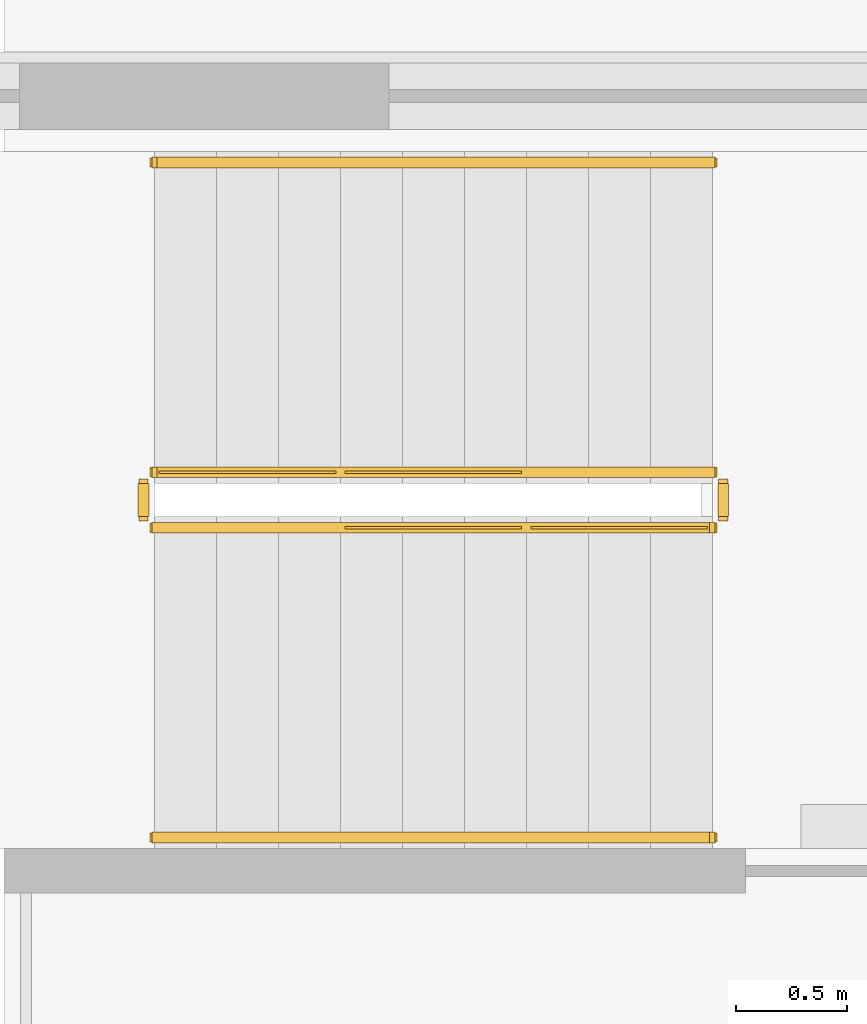
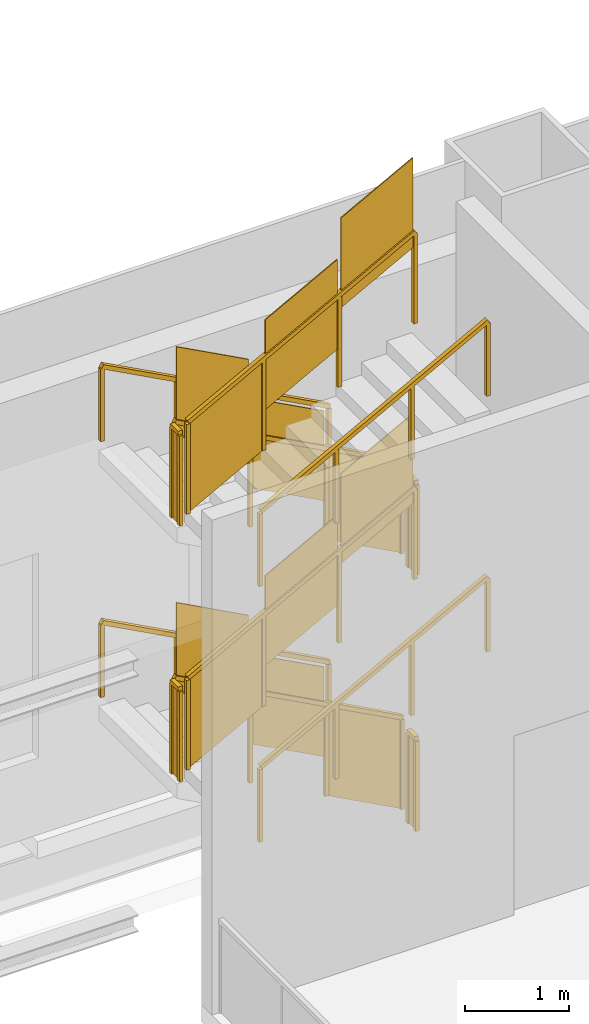
# One storey, part 27 of 31: 12 railings.
"""IFC4 building model written with IfcOpenShell, lengths in metres."""

import ifcopenshell
import ifcopenshell.guid

model = None  # the IFC model being written
_history = None  # IfcOwnerHistory: only IFC2X3 demands one
_inside = {}  # id of a spatial element -> (the spatial element, [elements in it])
_under = {}  # id of a project, library or spatial element -> (it, [spatial elements below it])
_declared = {}  # id of a project -> (the project, [libraries it declares])
_typed = {}  # id of a type object -> (the type object, [elements of that type])
_made_of = {}  # id of a material, layer set ... -> (it, [elements and type objects made of it])


def new_model(schema):
    """Start an empty IFC model of exactly this schema.

    Asked for "IFC4X3", IfcOpenShell would pick the latest addendum, in which some entities
    have other attributes; the version numbers below select the first issue.
    IFC2X3 requires an IfcOwnerHistory on every rooted entity: one is made here for all.
    """
    global model, _history
    if schema == "IFC4X3":
        model = ifcopenshell.file(schema_version=(4, 3, 0, 0))
    else:
        model = ifcopenshell.file(schema=schema)
    _inside.clear()
    _under.clear()
    _declared.clear()
    _typed.clear()
    _made_of.clear()
    _history = None
    if model.schema == "IFC2X3":
        org = make("IfcOrganization", Name="unknown")
        user = make(
            "IfcPersonAndOrganization",
            ThePerson=make("IfcPerson", FamilyName="unknown"),
            TheOrganization=org,
        )
        app = make(
            "IfcApplication",
            ApplicationDeveloper=org,
            Version="unknown",
            ApplicationFullName="unknown",
            ApplicationIdentifier="unknown",
        )
        _history = make(
            "IfcOwnerHistory",
            OwningUser=user,
            OwningApplication=app,
            ChangeAction="ADDED",
            CreationDate=0,
        )
    return model


def make(cls, **values):
    """One entity of the class cls with the attributes given. An attribute that is None is left unset."""
    return model.create_entity(
        cls, **{name: value for name, value in values.items() if value is not None}
    )


def rooted(cls, **values):
    """An entity with a GlobalId (a new one), such as an element, a storey or a relation."""
    return make(cls, GlobalId=ifcopenshell.guid.new(), OwnerHistory=_history, **values)


def si_unit(unit_type, name, prefix=None):
    """IfcSIUnit, for example si_unit("LENGTHUNIT", "METRE", prefix="MILLI")."""
    return make("IfcSIUnit", UnitType=unit_type, Prefix=prefix, Name=name)


def assignment(units):
    """IfcUnitAssignment: the units of a project."""
    return None if units is None else make("IfcUnitAssignment", Units=units)


def point(xyz):
    """IfcCartesianPoint."""
    return None if xyz is None else make("IfcCartesianPoint", Coordinates=xyz)


def direction(xyz):
    """IfcDirection."""
    return None if xyz is None else make("IfcDirection", DirectionRatios=xyz)


def frame(location, z_axis=None, x_axis=None):
    """IfcAxis2Placement3D, a coordinate frame: its origin and axes. An axis left out is left unset."""
    return make(
        "IfcAxis2Placement3D",
        Location=point(location),
        Axis=direction(z_axis),
        RefDirection=direction(x_axis),
    )


def frame_2d(location, x_axis=None):
    """IfcAxis2Placement2D, a coordinate frame in the plane: its origin and x axis."""
    return make(
        "IfcAxis2Placement2D", Location=point(location), RefDirection=direction(x_axis)
    )


def origin():
    """The frame at (0, 0, 0) with its axes left unset."""
    return frame((0.0, 0.0, 0.0))


def origin_2d():
    """The frame at (0, 0) in the plane with its x axis left unset."""
    return frame_2d((0.0, 0.0))


def place(relative_to, where):
    """IfcLocalPlacement: puts the frame where relative to a parent placement (None: the world)."""
    return make(
        "IfcLocalPlacement", PlacementRelTo=relative_to, RelativePlacement=where
    )


def context(
    kind, dimensions, precision=None, world=None, true_north=None, identifier=None
):
    """IfcGeometricRepresentationContext, for example the 3D "Model" context."""
    return make(
        "IfcGeometricRepresentationContext",
        ContextIdentifier=identifier,
        ContextType=kind,
        CoordinateSpaceDimension=dimensions,
        Precision=precision,
        WorldCoordinateSystem=world,
        TrueNorth=true_north,
    )


def subcontext(parent, identifier, kind, view, scale=None):
    """IfcGeometricRepresentationSubContext, for example "Body" below "Model"."""
    return make(
        "IfcGeometricRepresentationSubContext",
        ContextIdentifier=identifier,
        ContextType=kind,
        ParentContext=parent,
        TargetScale=scale,
        TargetView=view,
    )


def project(units=None, contexts=None):
    """IfcProject with its units and contexts."""
    return rooted(
        "IfcProject",
        Name="project",
        RepresentationContexts=contexts,
        UnitsInContext=assignment(units),
    )


def spatial(cls, under=None, at=None, **own):
    """A site, building, storey or space (cls), placed at a placement, below another one or the project."""
    s = rooted(cls, ObjectPlacement=at, **own)
    if under is not None:
        _under.setdefault(under.id(), (under, []))[1].append(s)
    return s


def polyline(points):
    """IfcPolyline through the points."""
    return make("IfcPolyline", Points=[point(p) for p in points])


def profile(cls, at=None, kind="AREA", **sizes):
    """A parametric profile (cls). Its sizes go by their IFC names, for example OverallWidth=200.0."""
    return make(cls, ProfileType=kind, Position=at, **sizes)


def rectangle(**sizes):
    """IfcRectangleProfileDef."""
    return profile("IfcRectangleProfileDef", **sizes)


def outline(outer, holes=None, kind="AREA"):
    """IfcArbitraryClosedProfileDef: a profile drawn as a closed curve; with holes, ...WithVoids."""
    if holes is None:
        return make("IfcArbitraryClosedProfileDef", ProfileType=kind, OuterCurve=outer)
    return make(
        "IfcArbitraryProfileDefWithVoids",
        ProfileType=kind,
        OuterCurve=outer,
        InnerCurves=holes,
    )


def extrude(swept, where, along, depth):
    """IfcExtrudedAreaSolid: the profile swept, set in the frame where, extruded along a direction by depth."""
    return make(
        "IfcExtrudedAreaSolid",
        SweptArea=swept,
        Position=where,
        ExtrudedDirection=direction(along),
        Depth=depth,
    )


def shape(context_of_items, identifier, shape_type, items):
    """IfcShapeRepresentation: the items that make up one representation, for example the "Body"."""
    return make(
        "IfcShapeRepresentation",
        ContextOfItems=context_of_items,
        RepresentationIdentifier=identifier,
        RepresentationType=shape_type,
        Items=items,
    )


def material(Name=None, Category=None):
    """IfcMaterial."""
    return make("IfcMaterial", Name=Name, Category=Category)


def made_of(thing, what):
    """Note that an element or type object is made of a material, layer set ...; save() writes the relation."""
    if what is not None:
        _made_of.setdefault(what.id(), (what, []))[1].append(thing)
    return thing


def type_object(cls, material=None, **own):
    """A type object (cls), such as IfcWallType, which elements share."""
    return made_of(rooted(cls, **own), material)


def element(
    cls,
    number,
    at=None,
    inside=None,
    cuts=None,
    type_object=None,
    material=None,
    context=None,
    identifier="Body",
    shape_type=None,
    held_by="IfcProductDefinitionShape",
    body=None,
    shapes=None,
    **own,
):
    """One element of the class cls, such as IfcWall. Its Tag is "e" and its number.

    at: its placement. inside: the storey or other place that contains it. cuts: it is an
    opening in that element (IfcRelVoidsElement). A single representation is given by context,
    identifier, shape_type and body (its items); several are given by shapes. held_by: the class
    of the entity that holds the representations. save() writes the other relations.
    """
    e = rooted(cls, Tag="e%d" % number, ObjectPlacement=at, **own)
    if body is not None:
        shapes = [shape(context, identifier, shape_type, body)]
    if shapes is not None:
        e.Representation = make(held_by, Representations=shapes)
    if inside is not None:
        _inside.setdefault(inside.id(), (inside, []))[1].append(e)
    if cuts is not None:
        rooted(
            "IfcRelVoidsElement", RelatingBuildingElement=cuts, RelatedOpeningElement=e
        )
    if type_object is not None:
        _typed.setdefault(type_object.id(), (type_object, []))[1].append(e)
    return made_of(e, material)


def aggregate(whole, parts):
    """IfcRelAggregates: a whole, such as a stair, and the parts it consists of."""
    return rooted("IfcRelAggregates", RelatingObject=whole, RelatedObjects=parts)


def save(model, path):
    """Write the relations noted so far, then the file.

    IfcRelAggregates (storeys below a building ...), IfcRelContainedInSpatialStructure (elements
    in a storey), IfcRelDefinesByType, IfcRelAssociatesMaterial and IfcRelDeclares: one each for
    every whole, place, type object, material and project.
    """
    for whole, parts in _under.values():
        aggregate(whole, parts)
    for where, things in _inside.values():
        rooted(
            "IfcRelContainedInSpatialStructure",
            RelatedElements=things,
            RelatingStructure=where,
        )
    for kind, things in _typed.values():
        rooted("IfcRelDefinesByType", RelatedObjects=things, RelatingType=kind)
    for what, things in _made_of.values():
        rooted("IfcRelAssociatesMaterial", RelatedObjects=things, RelatingMaterial=what)
    for by, libraries in _declared.values():
        rooted("IfcRelDeclares", RelatingContext=by, RelatedDefinitions=libraries)
    model.write(path)


model = new_model("IFC4")

# Units and contexts
model_context = context("Model", 3, precision=1e-05, world=origin(), true_north=direction((0.0, 1.0)))
body_context = subcontext(model_context, "Body", "Model", "MODEL_VIEW")
ifc_project = project(units=[si_unit("LENGTHUNIT", "METRE"), si_unit("AREAUNIT", "SQUARE_METRE"), si_unit("VOLUMEUNIT", "CUBIC_METRE"), si_unit("PLANEANGLEUNIT", "RADIAN"), si_unit("MASSUNIT", "GRAM", prefix="KILO")], contexts=[model_context])

# Site, building, storey
site_placement = place(None, origin())
site = spatial("IfcSite", under=ifc_project, at=site_placement, CompositionType="ELEMENT")
building_placement = place(site_placement, origin())
building = spatial("IfcBuilding", under=site, at=building_placement, Name="Cairn Pilgrim Tower", CompositionType="ELEMENT")
storey_placement = place(building_placement, frame((0.0, 0.0, 15.0)))
storey = spatial("IfcBuildingStorey", under=building, at=storey_placement, Name="L02", CompositionType="ELEMENT", Elevation=15.0)

# Railings
ifc_material = material(Name="Painted steel", Category="steel")
railing_type_1 = type_object("IfcRailingType", Name="PODIUM STAIR GUARD 1100", PredefinedType="GUARDRAIL", material=ifc_material)
railing_1_placement = place(storey_placement, frame((-25.60009765625, 26.5, 0.14990234375)))
element("IfcRailing", 1, at=railing_1_placement, inside=storey, type_object=railing_type_1, Name="L02 ST-HN stair guard 1", PredefinedType="GUARDRAIL", context=body_context, shape_type="SweptSolid", body=[
    extrude(rectangle(XDim=0.048095703125, YDim=0.048095703125, at=origin_2d()), frame((0.0, 0.0, 1.076171875), z_axis=(-0.881467274426, 0.0, 0.472245110209), x_axis=(0.0, -1.0, 0.0)), (0.0, 0.0, 1.0), 2.85888671875),
    extrude(rectangle(XDim=0.0419921875, YDim=0.0419921875, at=origin_2d()), origin(), (0.0, 0.0, 1.0), 1.052001953125),
    extrude(rectangle(XDim=0.0419921875, YDim=0.0419921875, at=origin_2d()), frame((-0.840087890625, 0.0, 0.449951171875)), (0.0, 0.0, 1.0), 1.052001953125),
    extrude(rectangle(XDim=0.0419921875, YDim=0.0419921875, at=origin_2d()), frame((-1.679931640625, 0.0, 0.900146484375)), (0.0, 0.0, 1.0), 1.052001953125),
    extrude(rectangle(XDim=0.0419921875, YDim=0.0419921875, at=origin_2d()), frame((-2.52001953125, 0.0, 1.35009765625)), (0.0, 0.0, 1.0), 1.052001953125),
    extrude(outline(polyline([(0.02099609375, 0.01123046875), (0.819091796875, 0.438720703125), (0.819091796875, 1.49072265625), (0.02099609375, 1.063232421875), (0.02099609375, 0.01123046875)])), frame((0.0, -0.005859375, 0.0), z_axis=(0.0, 1.0, 0.0), x_axis=(-1.0, 0.0, 0.0)), (0.0, 0.0, 1.0), 0.011962890625),
    extrude(outline(polyline([(0.02099609375, 0.461181640625), (0.819091796875, 0.888916015625), (0.819091796875, 1.94091796875), (0.02099609375, 1.51318359375), (0.02099609375, 0.461181640625)])), frame((-0.840087890625, -0.005859375, 0.449951171875), z_axis=(0.0, 1.0, 0.0), x_axis=(-1.0, 0.0, 0.0)), (0.0, 0.0, 1.0), 0.011962890625),
    extrude(outline(polyline([(0.02099609375, 0.911376953125), (0.819091796875, 1.3388671875), (0.819091796875, 2.390869140625), (0.02099609375, 1.96337890625), (0.02099609375, 0.911376953125)])), frame((-1.679931640625, -0.005859375, 0.900146484375), z_axis=(0.0, 1.0, 0.0), x_axis=(-1.0, 0.0, 0.0)), (0.0, 0.0, 1.0), 0.011962890625),
])
railing_2_placement = place(storey_placement, frame((-28.169921875, 26.449951171875, 1.5)))
element("IfcRailing", 2, at=railing_2_placement, inside=storey, type_object=railing_type_1, Name="L02 ST-HN stair guard 2", PredefinedType="GUARDRAIL", context=body_context, shape_type="SweptSolid", body=[
    extrude(rectangle(XDim=0.048095703125, YDim=0.048095703125, at=origin_2d()), frame((0.0, 0.0, 1.076171875), z_axis=(0.0, -1.0, 0.0), x_axis=(1.0, 0.0, 0.0)), (0.0, 0.0, 1.0), 0.14990234375),
    extrude(rectangle(XDim=0.0419921875, YDim=0.0419921875, at=origin_2d()), origin(), (0.0, 0.0, 1.0), 1.052001953125),
    extrude(rectangle(XDim=0.0419921875, YDim=0.0419921875, at=origin_2d()), frame((0.0, -0.14990234375, 0.0)), (0.0, 0.0, 1.0), 1.052001953125),
    extrude(outline(polyline([(0.02099609375, 0.0), (0.12890625, 0.0), (0.12890625, 1.052001953125), (0.02099609375, 1.052001953125), (0.02099609375, 0.0)])), frame((0.005859375, 0.0, 0.0), z_axis=(-1.0, 0.0, 0.0), x_axis=(0.0, -1.0, 0.0)), (0.0, 0.0, 1.0), 0.011962890625),
])
railing_3_placement = place(storey_placement, frame((-28.1201171875, 26.25, 1.64990234375)))
element("IfcRailing", 3, at=railing_3_placement, inside=storey, type_object=railing_type_1, Name="L02 ST-HN stair guard 3", PredefinedType="GUARDRAIL", context=body_context, shape_type="SweptSolid", body=[
    extrude(rectangle(XDim=0.048095703125, YDim=0.048095703125, at=origin_2d()), frame((0.0, 0.0, 1.076171875), z_axis=(0.881467274426, 0.0, 0.472245110209), x_axis=(0.0, 1.0, 0.0)), (0.0, 0.0, 1.0), 2.85888671875),
    extrude(rectangle(XDim=0.0419921875, YDim=0.0419921875, at=origin_2d()), origin(), (0.0, 0.0, 1.0), 1.052001953125),
    extrude(rectangle(XDim=0.0419921875, YDim=0.0419921875, at=origin_2d()), frame((0.840087890625, 0.0, 0.449951171875)), (0.0, 0.0, 1.0), 1.052001953125),
    extrude(rectangle(XDim=0.0419921875, YDim=0.0419921875, at=origin_2d()), frame((1.679931640625, 0.0, 0.900146484375)), (0.0, 0.0, 1.0), 1.052001953125),
    extrude(rectangle(XDim=0.0419921875, YDim=0.0419921875, at=origin_2d()), frame((2.52001953125, 0.0, 1.35009765625)), (0.0, 0.0, 1.0), 1.052001953125),
    extrude(outline(polyline([(0.02099609375, 0.01123046875), (0.819091796875, 0.438720703125), (0.819091796875, 1.49072265625), (0.02099609375, 1.063232421875), (0.02099609375, 0.01123046875)])), frame((0.0, 0.005859375, 0.0), z_axis=(0.0, -1.0, 0.0), x_axis=(1.0, 0.0, 0.0)), (0.0, 0.0, 1.0), 0.011962890625),
    extrude(outline(polyline([(0.02099609375, 0.461181640625), (0.819091796875, 0.888916015625), (0.819091796875, 1.94091796875), (0.02099609375, 1.51318359375), (0.02099609375, 0.461181640625)])), frame((0.840087890625, 0.005859375, 0.449951171875), z_axis=(0.0, -1.0, 0.0), x_axis=(1.0, 0.0, 0.0)), (0.0, 0.0, 1.0), 0.011962890625),
    extrude(outline(polyline([(0.02099609375, 0.911376953125), (0.819091796875, 1.3388671875), (0.819091796875, 2.390869140625), (0.02099609375, 1.96337890625), (0.02099609375, 0.911376953125)])), frame((1.679931640625, 0.005859375, 0.900146484375), z_axis=(0.0, -1.0, 0.0), x_axis=(1.0, 0.0, 0.0)), (0.0, 0.0, 1.0), 0.011962890625),
])
railing_4_placement = place(storey_placement, frame((-25.550048828125, 26.449951171875, 3.0)))
element("IfcRailing", 4, at=railing_4_placement, inside=storey, type_object=railing_type_1, Name="L02 ST-HN stair guard 4", PredefinedType="GUARDRAIL", context=body_context, shape_type="SweptSolid", body=[
    extrude(rectangle(XDim=0.048095703125, YDim=0.048095703125, at=origin_2d()), frame((0.0, 0.0, 1.076171875), z_axis=(0.0, -1.0, 0.0), x_axis=(1.0, 0.0, 0.0)), (0.0, 0.0, 1.0), 0.14990234375),
    extrude(rectangle(XDim=0.0419921875, YDim=0.0419921875, at=origin_2d()), origin(), (0.0, 0.0, 1.0), 1.052001953125),
    extrude(rectangle(XDim=0.0419921875, YDim=0.0419921875, at=origin_2d()), frame((0.0, -0.14990234375, 0.0)), (0.0, 0.0, 1.0), 1.052001953125),
    extrude(outline(polyline([(0.02099609375, 0.0), (0.12890625, 0.0), (0.12890625, 1.052001953125), (0.02099609375, 1.052001953125), (0.02099609375, 0.0)])), frame((0.005859375, 0.0, 0.0), z_axis=(-1.0, 0.0, 0.0), x_axis=(0.0, -1.0, 0.0)), (0.0, 0.0, 1.0), 0.011962890625),
])
railing_5_placement = place(storey_placement, frame((-25.60009765625, 26.5, 3.14990234375)))
element("IfcRailing", 5, at=railing_5_placement, inside=storey, type_object=railing_type_1, Name="L02 ST-HN stair guard 5", PredefinedType="GUARDRAIL", context=body_context, shape_type="SweptSolid", body=[
    extrude(rectangle(XDim=0.048095703125, YDim=0.048095703125, at=origin_2d()), frame((0.0, 0.0, 1.076171875), z_axis=(-0.881467274426, 0.0, 0.472245110209), x_axis=(0.0, -1.0, 0.0)), (0.0, 0.0, 1.0), 2.85888671875),
    extrude(rectangle(XDim=0.0419921875, YDim=0.0419921875, at=origin_2d()), origin(), (0.0, 0.0, 1.0), 1.052001953125),
    extrude(rectangle(XDim=0.0419921875, YDim=0.0419921875, at=origin_2d()), frame((-0.840087890625, 0.0, 0.449951171875)), (0.0, 0.0, 1.0), 1.052001953125),
    extrude(rectangle(XDim=0.0419921875, YDim=0.0419921875, at=origin_2d()), frame((-1.679931640625, 0.0, 0.900146484375)), (0.0, 0.0, 1.0), 1.052001953125),
    extrude(rectangle(XDim=0.0419921875, YDim=0.0419921875, at=origin_2d()), frame((-2.52001953125, 0.0, 1.35009765625)), (0.0, 0.0, 1.0), 1.052001953125),
    extrude(outline(polyline([(0.02099609375, 0.01123046875), (0.819091796875, 0.438720703125), (0.819091796875, 1.49072265625), (0.02099609375, 1.063232421875), (0.02099609375, 0.01123046875)])), frame((0.0, -0.005859375, 0.0), z_axis=(0.0, 1.0, 0.0), x_axis=(-1.0, 0.0, 0.0)), (0.0, 0.0, 1.0), 0.011962890625),
    extrude(outline(polyline([(0.02099609375, 0.461181640625), (0.819091796875, 0.888916015625), (0.819091796875, 1.94091796875), (0.02099609375, 1.51318359375), (0.02099609375, 0.461181640625)])), frame((-0.840087890625, -0.005859375, 0.449951171875), z_axis=(0.0, 1.0, 0.0), x_axis=(-1.0, 0.0, 0.0)), (0.0, 0.0, 1.0), 0.011962890625),
    extrude(outline(polyline([(0.02099609375, 0.911376953125), (0.819091796875, 1.3388671875), (0.819091796875, 2.390869140625), (0.02099609375, 1.96337890625), (0.02099609375, 0.911376953125)])), frame((-1.679931640625, -0.005859375, 0.900146484375), z_axis=(0.0, 1.0, 0.0), x_axis=(-1.0, 0.0, 0.0)), (0.0, 0.0, 1.0), 0.011962890625),
])
railing_6_placement = place(storey_placement, frame((-28.169921875, 26.449951171875, 4.5)))
element("IfcRailing", 6, at=railing_6_placement, inside=storey, type_object=railing_type_1, Name="L02 ST-HN stair guard 6", PredefinedType="GUARDRAIL", context=body_context, shape_type="SweptSolid", body=[
    extrude(rectangle(XDim=0.048095703125, YDim=0.048095703125, at=origin_2d()), frame((0.0, 0.0, 1.076171875), z_axis=(0.0, -1.0, 0.0), x_axis=(1.0, 0.0, 0.0)), (0.0, 0.0, 1.0), 0.14990234375),
    extrude(rectangle(XDim=0.0419921875, YDim=0.0419921875, at=origin_2d()), origin(), (0.0, 0.0, 1.0), 1.052001953125),
    extrude(rectangle(XDim=0.0419921875, YDim=0.0419921875, at=origin_2d()), frame((0.0, -0.14990234375, 0.0)), (0.0, 0.0, 1.0), 1.052001953125),
    extrude(outline(polyline([(0.02099609375, 0.0), (0.12890625, 0.0), (0.12890625, 1.052001953125), (0.02099609375, 1.052001953125), (0.02099609375, 0.0)])), frame((0.005859375, 0.0, 0.0), z_axis=(-1.0, 0.0, 0.0), x_axis=(0.0, -1.0, 0.0)), (0.0, 0.0, 1.0), 0.011962890625),
])
railing_7_placement = place(storey_placement, frame((-28.1201171875, 26.25, 4.64990234375)))
element("IfcRailing", 7, at=railing_7_placement, inside=storey, type_object=railing_type_1, Name="L02 ST-HN stair guard 7", PredefinedType="GUARDRAIL", context=body_context, shape_type="SweptSolid", body=[
    extrude(rectangle(XDim=0.048095703125, YDim=0.048095703125, at=origin_2d()), frame((0.0, 0.0, 1.076171875), z_axis=(0.881467274426, 0.0, 0.472245110209), x_axis=(0.0, 1.0, 0.0)), (0.0, 0.0, 1.0), 2.85888671875),
    extrude(rectangle(XDim=0.0419921875, YDim=0.0419921875, at=origin_2d()), origin(), (0.0, 0.0, 1.0), 1.052001953125),
    extrude(rectangle(XDim=0.0419921875, YDim=0.0419921875, at=origin_2d()), frame((0.840087890625, 0.0, 0.449951171875)), (0.0, 0.0, 1.0), 1.052001953125),
    extrude(rectangle(XDim=0.0419921875, YDim=0.0419921875, at=origin_2d()), frame((1.679931640625, 0.0, 0.900146484375)), (0.0, 0.0, 1.0), 1.052001953125),
    extrude(rectangle(XDim=0.0419921875, YDim=0.0419921875, at=origin_2d()), frame((2.52001953125, 0.0, 1.35009765625)), (0.0, 0.0, 1.0), 1.052001953125),
    extrude(outline(polyline([(0.02099609375, 0.01123046875), (0.819091796875, 0.438720703125), (0.819091796875, 1.49072265625), (0.02099609375, 1.063232421875), (0.02099609375, 0.01123046875)])), frame((0.0, 0.005859375, 0.0), z_axis=(0.0, -1.0, 0.0), x_axis=(1.0, 0.0, 0.0)), (0.0, 0.0, 1.0), 0.011962890625),
    extrude(outline(polyline([(0.02099609375, 0.461181640625), (0.819091796875, 0.888916015625), (0.819091796875, 1.94091796875), (0.02099609375, 1.51318359375), (0.02099609375, 0.461181640625)])), frame((0.840087890625, 0.005859375, 0.449951171875), z_axis=(0.0, -1.0, 0.0), x_axis=(1.0, 0.0, 0.0)), (0.0, 0.0, 1.0), 0.011962890625),
    extrude(outline(polyline([(0.02099609375, 0.911376953125), (0.819091796875, 1.3388671875), (0.819091796875, 2.390869140625), (0.02099609375, 1.96337890625), (0.02099609375, 0.911376953125)])), frame((1.679931640625, 0.005859375, 0.900146484375), z_axis=(0.0, -1.0, 0.0), x_axis=(1.0, 0.0, 0.0)), (0.0, 0.0, 1.0), 0.011962890625),
])
railing_8_placement = place(storey_placement, frame((-25.550048828125, 26.449951171875, 0.0)))
element("IfcRailing", 8, at=railing_8_placement, inside=storey, type_object=railing_type_1, Name="L02 ST-HN stair guard 8", PredefinedType="GUARDRAIL", context=body_context, shape_type="SweptSolid", body=[
    extrude(rectangle(XDim=0.048095703125, YDim=0.048095703125, at=origin_2d()), frame((0.0, 0.0, 1.076171875), z_axis=(0.0, -1.0, 0.0), x_axis=(1.0, 0.0, 0.0)), (0.0, 0.0, 1.0), 0.14990234375),
    extrude(rectangle(XDim=0.0419921875, YDim=0.0419921875, at=origin_2d()), origin(), (0.0, 0.0, 1.0), 1.052001953125),
    extrude(rectangle(XDim=0.0419921875, YDim=0.0419921875, at=origin_2d()), frame((0.0, -0.14990234375, 0.0)), (0.0, 0.0, 1.0), 1.052001953125),
    extrude(outline(polyline([(0.02099609375, 0.0), (0.12890625, 0.0), (0.12890625, 1.052001953125), (0.02099609375, 1.052001953125), (0.02099609375, 0.0)])), frame((0.005859375, 0.0, 0.0), z_axis=(-1.0, 0.0, 0.0), x_axis=(0.0, -1.0, 0.0)), (0.0, 0.0, 1.0), 0.011962890625),
])
railing_type_2 = type_object("IfcRailingType", Name="PODIUM STAIR HANDRAIL 900", PredefinedType="HANDRAIL", material=ifc_material)
railing_9_placement = place(storey_placement, frame((-25.60009765625, 27.89990234375, 0.14990234375)))
element("IfcRailing", 9, at=railing_9_placement, inside=storey, type_object=railing_type_2, Name="L02 ST-HN stair handrail 1", PredefinedType="HANDRAIL", context=body_context, shape_type="SweptSolid", body=[
    extrude(rectangle(XDim=0.048095703125, YDim=0.048095703125, at=origin_2d()), frame((0.0, 0.0, 0.8759765625), z_axis=(-0.881467274426, 0.0, 0.472245110209), x_axis=(0.0, -1.0, 0.0)), (0.0, 0.0, 1.0), 2.85888671875),
    extrude(rectangle(XDim=0.0419921875, YDim=0.0419921875, at=origin_2d()), origin(), (0.0, 0.0, 1.0), 0.851806640625),
    extrude(rectangle(XDim=0.0419921875, YDim=0.0419921875, at=origin_2d()), frame((-0.840087890625, 0.0, 0.449951171875)), (0.0, 0.0, 1.0), 0.851806640625),
    extrude(rectangle(XDim=0.0419921875, YDim=0.0419921875, at=origin_2d()), frame((-1.679931640625, 0.0, 0.900146484375)), (0.0, 0.0, 1.0), 0.851806640625),
    extrude(rectangle(XDim=0.0419921875, YDim=0.0419921875, at=origin_2d()), frame((-2.52001953125, 0.0, 1.35009765625)), (0.0, 0.0, 1.0), 0.851806640625),
])
railing_10_placement = place(storey_placement, frame((-28.1201171875, 24.85009765625, 1.64990234375)))
element("IfcRailing", 10, at=railing_10_placement, inside=storey, type_object=railing_type_2, Name="L02 ST-HN stair handrail 2", PredefinedType="HANDRAIL", context=body_context, shape_type="SweptSolid", body=[
    extrude(rectangle(XDim=0.048095703125, YDim=0.048095703125, at=origin_2d()), frame((0.0, 0.0, 0.8759765625), z_axis=(0.881467274426, 0.0, 0.472245110209), x_axis=(0.0, 1.0, 0.0)), (0.0, 0.0, 1.0), 2.85888671875),
    extrude(rectangle(XDim=0.0419921875, YDim=0.0419921875, at=origin_2d()), origin(), (0.0, 0.0, 1.0), 0.851806640625),
    extrude(rectangle(XDim=0.0419921875, YDim=0.0419921875, at=origin_2d()), frame((0.840087890625, 0.0, 0.449951171875)), (0.0, 0.0, 1.0), 0.851806640625),
    extrude(rectangle(XDim=0.0419921875, YDim=0.0419921875, at=origin_2d()), frame((1.679931640625, 0.0, 0.900146484375)), (0.0, 0.0, 1.0), 0.851806640625),
    extrude(rectangle(XDim=0.0419921875, YDim=0.0419921875, at=origin_2d()), frame((2.52001953125, 0.0, 1.35009765625)), (0.0, 0.0, 1.0), 0.851806640625),
])
railing_11_placement = place(storey_placement, frame((-25.60009765625, 27.89990234375, 3.14990234375)))
element("IfcRailing", 11, at=railing_11_placement, inside=storey, type_object=railing_type_2, Name="L02 ST-HN stair handrail 3", PredefinedType="HANDRAIL", context=body_context, shape_type="SweptSolid", body=[
    extrude(rectangle(XDim=0.048095703125, YDim=0.048095703125, at=origin_2d()), frame((0.0, 0.0, 0.8759765625), z_axis=(-0.881467274426, 0.0, 0.472245110209), x_axis=(0.0, -1.0, 0.0)), (0.0, 0.0, 1.0), 2.85888671875),
    extrude(rectangle(XDim=0.0419921875, YDim=0.0419921875, at=origin_2d()), origin(), (0.0, 0.0, 1.0), 0.851806640625),
    extrude(rectangle(XDim=0.0419921875, YDim=0.0419921875, at=origin_2d()), frame((-0.840087890625, 0.0, 0.449951171875)), (0.0, 0.0, 1.0), 0.851806640625),
    extrude(rectangle(XDim=0.0419921875, YDim=0.0419921875, at=origin_2d()), frame((-1.679931640625, 0.0, 0.900146484375)), (0.0, 0.0, 1.0), 0.851806640625),
    extrude(rectangle(XDim=0.0419921875, YDim=0.0419921875, at=origin_2d()), frame((-2.52001953125, 0.0, 1.35009765625)), (0.0, 0.0, 1.0), 0.851806640625),
])
railing_12_placement = place(storey_placement, frame((-28.1201171875, 24.85009765625, 4.64990234375)))
element("IfcRailing", 12, at=railing_12_placement, inside=storey, type_object=railing_type_2, Name="L02 ST-HN stair handrail 4", PredefinedType="HANDRAIL", context=body_context, shape_type="SweptSolid", body=[
    extrude(rectangle(XDim=0.048095703125, YDim=0.048095703125, at=origin_2d()), frame((0.0, 0.0, 0.8759765625), z_axis=(0.881467274426, 0.0, 0.472245110209), x_axis=(0.0, 1.0, 0.0)), (0.0, 0.0, 1.0), 2.85888671875),
    extrude(rectangle(XDim=0.0419921875, YDim=0.0419921875, at=origin_2d()), origin(), (0.0, 0.0, 1.0), 0.851806640625),
    extrude(rectangle(XDim=0.0419921875, YDim=0.0419921875, at=origin_2d()), frame((0.840087890625, 0.0, 0.449951171875)), (0.0, 0.0, 1.0), 0.851806640625),
    extrude(rectangle(XDim=0.0419921875, YDim=0.0419921875, at=origin_2d()), frame((1.679931640625, 0.0, 0.900146484375)), (0.0, 0.0, 1.0), 0.851806640625),
    extrude(rectangle(XDim=0.0419921875, YDim=0.0419921875, at=origin_2d()), frame((2.52001953125, 0.0, 1.35009765625)), (0.0, 0.0, 1.0), 0.851806640625),
])

save(model, "model.ifc")
